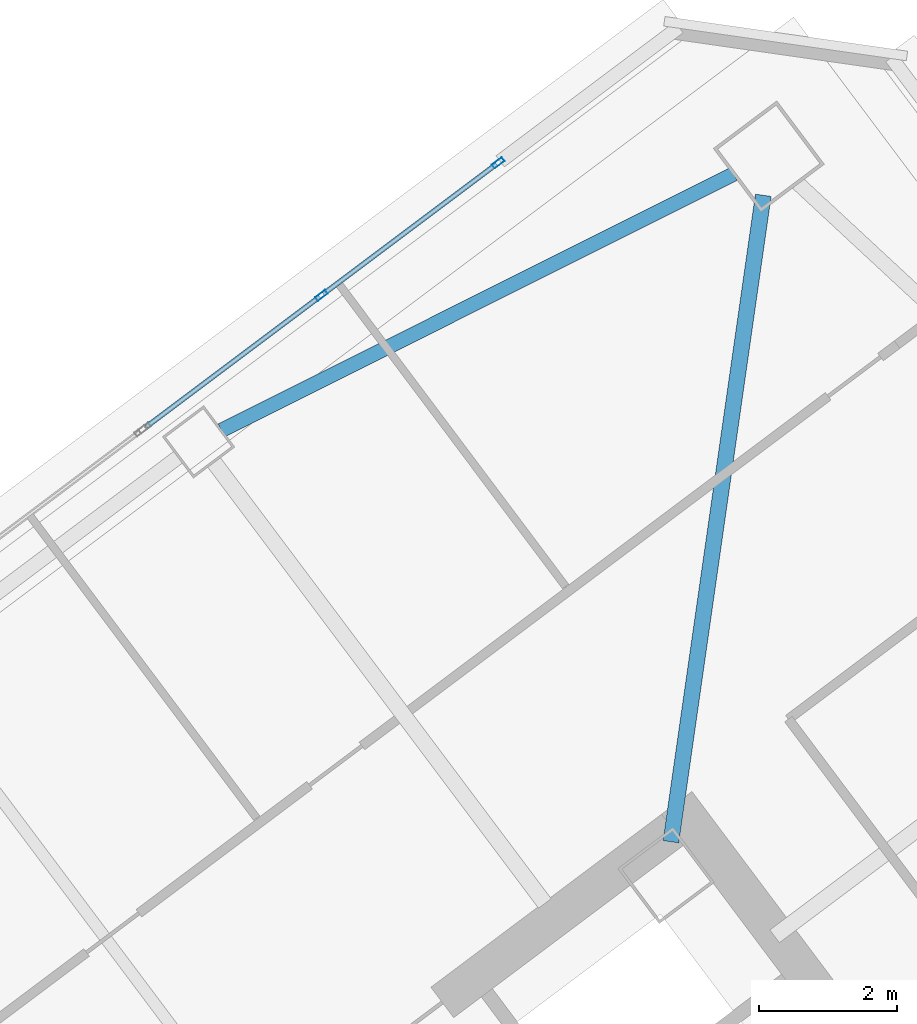
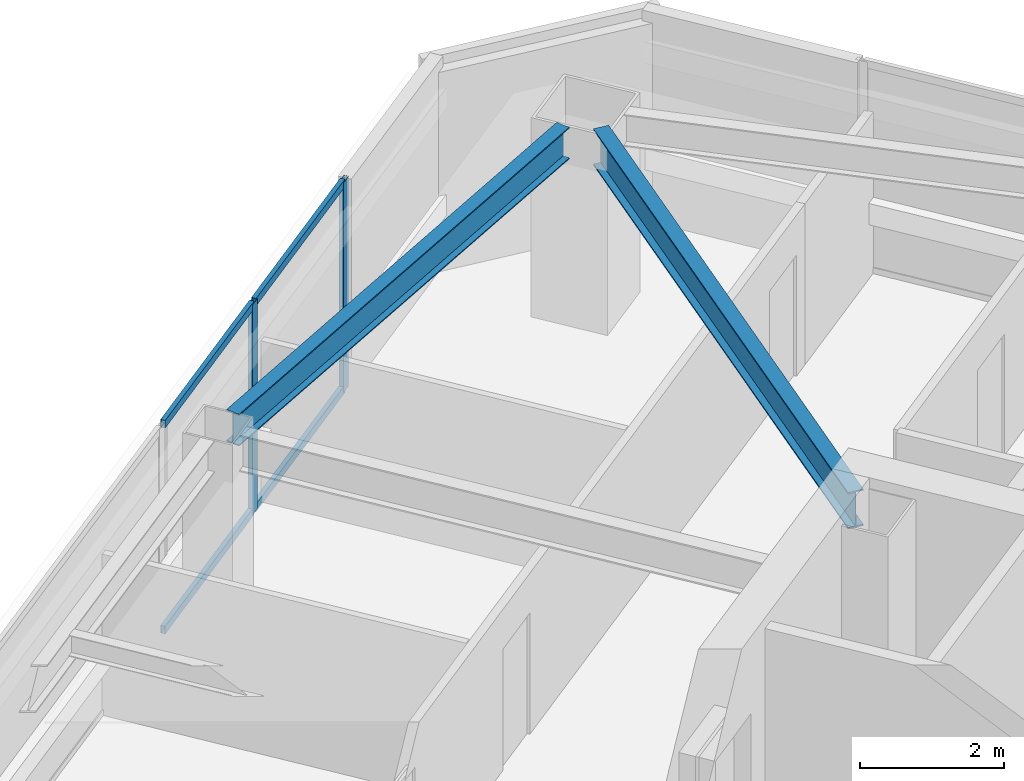
# One storey, part 28 of 43: 6 members, 2 beams, 1 element without a shape of its own.
"""IFC4 building model written with IfcOpenShell, lengths in metres."""

from ifc_helpers import new_model, si_unit, direction, frame, origin, origin_2d, place, context, subcontext, project, spatial, hollow_rectangle, i_section, extrude, material, material_profile, profile_set, type_object, element, aggregate, save


model = new_model("IFC4")

# Units and contexts
model_context = context("Model", 3, precision=1e-05, world=origin(), true_north=direction((0.0, 1.0)))
body_context = subcontext(model_context, "Body", "Model", "MODEL_VIEW")
ifc_project = project(units=[si_unit("LENGTHUNIT", "METRE"), si_unit("AREAUNIT", "SQUARE_METRE"), si_unit("VOLUMEUNIT", "CUBIC_METRE"), si_unit("PLANEANGLEUNIT", "RADIAN"), si_unit("MASSUNIT", "GRAM", prefix="KILO")], contexts=[model_context])

# Site, building, storey
site_placement = place(None, origin())
site = spatial("IfcSite", under=ifc_project, at=site_placement, CompositionType="ELEMENT")
building_placement = place(site_placement, origin())
building = spatial("IfcBuilding", under=site, at=building_placement, Name="Tashvorn Skyway Center", CompositionType="ELEMENT")
storey_placement = place(building_placement, frame((0.0, 0.0, 160.550048828125)))
storey = spatial("IfcBuildingStorey", under=building, at=storey_placement, Name="L43", CompositionType="ELEMENT", Elevation=160.550048828125)

# Beams
ifc_material_1 = material(Name="Steel ASTM A992 Grade 50", Category="steel")
ifc_material_profile_1 = material_profile(ifc_material_1, i_section(OverallWidth=0.22998046875, OverallDepth=0.616943359375, WebThickness=0.01318359375, FlangeThickness=0.022216796875, at=origin_2d()), Name="W24X94")
ifc_profile_set_1 = profile_set([ifc_material_profile_1], Name="Steel ASTM A992 Grade 50")
beam_type_1 = type_object("IfcBeamType", Name="BM-BEAM-W24X94", PredefinedType="BEAM", material=ifc_profile_set_1)
beam_1_placement = place(storey_placement, frame((116.8193359375, 51.73583984375, 3.0615234375), z_axis=(-0.141417747326, -0.989950009213, 0.0), x_axis=(0.989950009213, -0.141417747326, 0.0)))
element("IfcBeam", 1, at=beam_1_placement, inside=storey, type_object=beam_type_1, Name="Tower 2 L43 Primary Floor Girder MC-NE", PredefinedType="BEAM", context=body_context, shape_type="SweptSolid", body=[
    extrude(i_section(OverallWidth=0.22998046875, OverallDepth=0.616943359375, WebThickness=0.01318359375, FlangeThickness=0.022216796875, at=origin_2d()), origin(), (0.0, 0.0, 1.0), 9.470947265625),
])
ifc_material_profile_2 = material_profile(ifc_material_1, i_section(OverallWidth=0.2109375, OverallDepth=0.5390625, WebThickness=0.01171875, FlangeThickness=0.018798828125, at=origin_2d()), Name="W21X73")
ifc_profile_set_2 = profile_set([ifc_material_profile_2], Name="Steel ASTM A992 Grade 50")
beam_type_2 = type_object("IfcBeamType", Name="BM-SPANDREL-W21X73", PredefinedType="SPANDREL", material=ifc_profile_set_2)
beam_2_placement = place(storey_placement, frame((116.390380859375, 52.044921875, 3.100341796875), z_axis=(-0.894209637559, -0.447648438059, 0.0), x_axis=(0.447648438059, -0.894209637559, 0.0)))
element("IfcBeam", 2, at=beam_2_placement, inside=storey, type_object=beam_type_2, Name="Tower 2 L43 Spandrel Beam 07", PredefinedType="SPANDREL", context=body_context, shape_type="SweptSolid", body=[
    extrude(i_section(OverallWidth=0.2109375, OverallDepth=0.5390625, WebThickness=0.01171875, FlangeThickness=0.018798828125, at=origin_2d()), origin(), (0.0, 0.0, 1.0), 8.308349609375),
])

# Curtain wall, members
ifc_material_2 = material(Name="Thermally broken bronze-anodized aluminium 6063-T6", Category="aluminium")
curtain_wall_type = type_object("IfcCurtainWallType", Name="CW-CW-Z4", PredefinedType="NOTDEFINED", material=ifc_material_2)
curtain_wall_placement = place(storey_placement, origin())
curtain_wall = element("IfcCurtainWall", 3, at=curtain_wall_placement, inside=storey, type_object=curtain_wall_type, Name="Tower 2 L43 North Unitised Curtain Wall Glazing Group 3", PredefinedType="NOTDEFINED")
ifc_material_profile_3 = material_profile(ifc_material_2, hollow_rectangle(XDim=0.070068359375, YDim=0.179931640625, WallThickness=0.00390625, at=origin_2d()), Name="ALU-MULL-70x180")
ifc_profile_set_3 = profile_set([ifc_material_profile_3], Name="Thermally broken bronze-anodized aluminium 6063-T6")
member_type_1 = type_object("IfcMemberType", Name="CWM-CW-Z4", PredefinedType="MULLION", material=ifc_profile_set_3)
member_1_placement = place(storey_placement, frame((110.412109375, 50.283935546875, 0.0), z_axis=(0.0, 0.0, 1.0), x_axis=(-0.600000000002, 0.799999999998, 0.0)))
member_1 = element("IfcMember", 4, at=member_1_placement, type_object=member_type_1, Name="CW-Z4 mullion 2", PredefinedType="MULLION", context=body_context, shape_type="SweptSolid", body=[
    extrude(hollow_rectangle(XDim=0.070068359375, YDim=0.179931640625, WallThickness=0.00390625, at=origin_2d()), origin(), (0.0, 0.0, 1.0), 3.550048828125),
])
member_2_placement = place(storey_placement, frame((112.97607421875, 52.20703125, 0.0), z_axis=(0.0, 0.0, 1.0), x_axis=(-0.600000000002, 0.799999999998, 0.0)))
member_2 = element("IfcMember", 5, at=member_2_placement, type_object=member_type_1, Name="CW-Z4 mullion 3", PredefinedType="MULLION", context=body_context, shape_type="SweptSolid", body=[
    extrude(hollow_rectangle(XDim=0.070068359375, YDim=0.179931640625, WallThickness=0.00390625, at=origin_2d()), origin(), (0.0, 0.0, 1.0), 3.550048828125),
])
ifc_material_profile_4 = material_profile(ifc_material_2, hollow_rectangle(XDim=0.070068359375, YDim=0.1298828125, WallThickness=0.00390625, at=origin_2d()), Name="ALU-TRAN-70x130")
ifc_profile_set_4 = profile_set([ifc_material_profile_4], Name="Thermally broken bronze-anodized aluminium 6063-T6")
member_type_2 = type_object("IfcMemberType", Name="CWT-CW-Z4", PredefinedType="USERDEFINED", material=ifc_profile_set_4)
member_3_placement = place(storey_placement, frame((107.8759765625, 48.382080078125, 0.034912109375), z_axis=(0.800028034763, 0.599962618496, 0.0), x_axis=(-0.599962618496, 0.800028034763, 0.0)))
member_3 = element("IfcMember", 6, at=member_3_placement, type_object=member_type_2, Name="CW-Z4 transom 1.1", ObjectType="TRANSOM", PredefinedType="USERDEFINED", context=body_context, shape_type="SweptSolid", body=[
    extrude(hollow_rectangle(XDim=0.070068359375, YDim=0.1298828125, WallThickness=0.00390625, at=origin_2d()), origin(), (0.0, 0.0, 1.0), 3.135009765625),
])
member_4_placement = place(storey_placement, frame((107.8759765625, 48.382080078125, 3.514892578125), z_axis=(0.800028034763, 0.599962618496, 0.0), x_axis=(-0.599962618496, 0.800028034763, 0.0)))
member_4 = element("IfcMember", 7, at=member_4_placement, type_object=member_type_2, Name="CW-Z4 transom 1.2", ObjectType="TRANSOM", PredefinedType="USERDEFINED", context=body_context, shape_type="SweptSolid", body=[
    extrude(hollow_rectangle(XDim=0.070068359375, YDim=0.1298828125, WallThickness=0.00390625, at=origin_2d()), origin(), (0.0, 0.0, 1.0), 3.135009765625),
])
member_5_placement = place(storey_placement, frame((110.43994140625, 50.304931640625, 0.034912109375), z_axis=(0.799990655127, 0.600012459628, 0.0), x_axis=(-0.600012459628, 0.799990655127, 0.0)))
member_5 = element("IfcMember", 8, at=member_5_placement, type_object=member_type_2, Name="CW-Z4 transom 2.1", ObjectType="TRANSOM", PredefinedType="USERDEFINED", context=body_context, shape_type="SweptSolid", body=[
    extrude(hollow_rectangle(XDim=0.070068359375, YDim=0.1298828125, WallThickness=0.00390625, at=origin_2d()), origin(), (0.0, 0.0, 1.0), 3.135009765625),
])
member_6_placement = place(storey_placement, frame((110.43994140625, 50.304931640625, 3.514892578125), z_axis=(0.799990655127, 0.600012459628, 0.0), x_axis=(-0.600012459628, 0.799990655127, 0.0)))
member_6 = element("IfcMember", 9, at=member_6_placement, type_object=member_type_2, Name="CW-Z4 transom 2.2", ObjectType="TRANSOM", PredefinedType="USERDEFINED", context=body_context, shape_type="SweptSolid", body=[
    extrude(hollow_rectangle(XDim=0.070068359375, YDim=0.1298828125, WallThickness=0.00390625, at=origin_2d()), origin(), (0.0, 0.0, 1.0), 3.135009765625),
])
aggregate(curtain_wall, [member_1, member_2, member_3, member_4, member_5, member_6])

save(model, "model.ifc")
